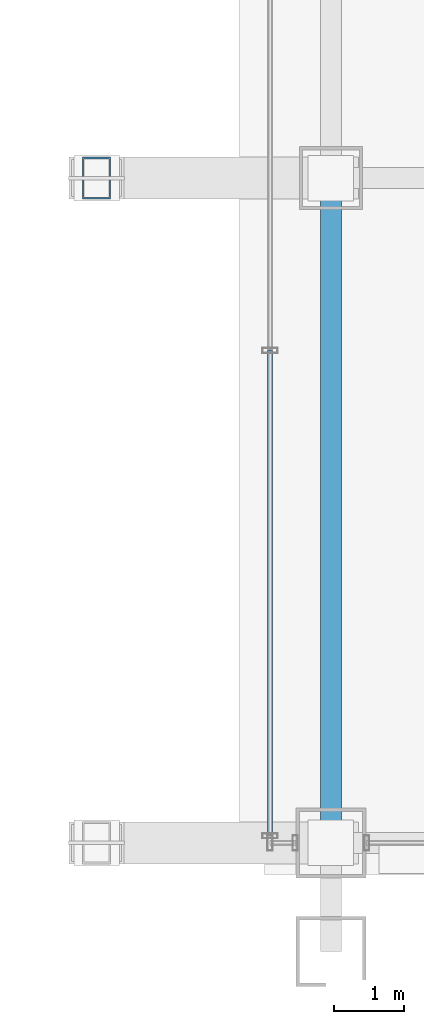
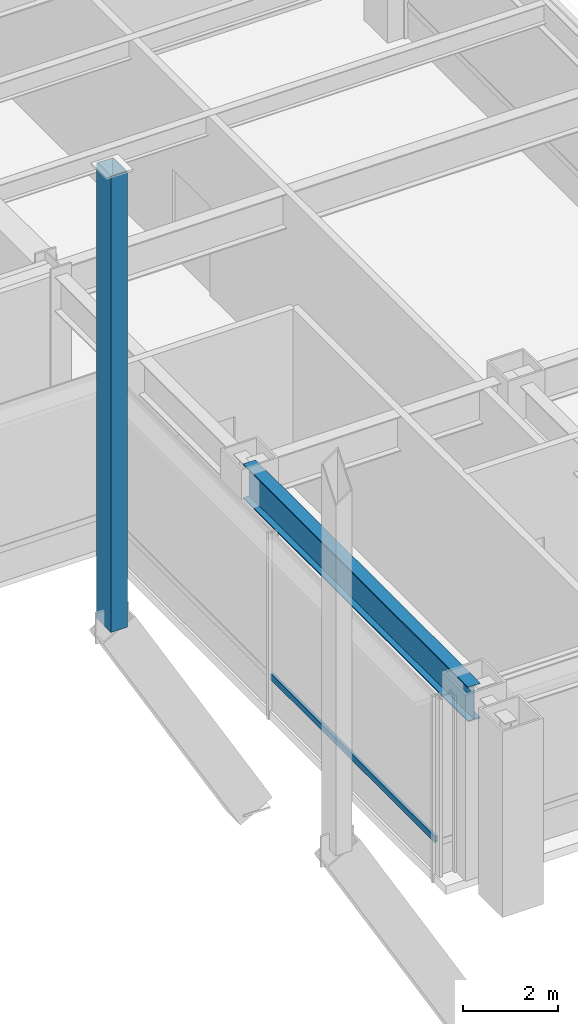
# One storey, part 9 of 40: 2 members, 1 beam, 1 element without a shape of its own.
"""IFC4 building model written with IfcOpenShell, lengths in metres."""

import ifcopenshell
import ifcopenshell.guid

model = None  # the IFC model being written
_history = None  # IfcOwnerHistory: only IFC2X3 demands one
_inside = {}  # id of a spatial element -> (the spatial element, [elements in it])
_under = {}  # id of a project, library or spatial element -> (it, [spatial elements below it])
_declared = {}  # id of a project -> (the project, [libraries it declares])
_typed = {}  # id of a type object -> (the type object, [elements of that type])
_made_of = {}  # id of a material, layer set ... -> (it, [elements and type objects made of it])


def new_model(schema):
    """Start an empty IFC model of exactly this schema.

    Asked for "IFC4X3", IfcOpenShell would pick the latest addendum, in which some entities
    have other attributes; the version numbers below select the first issue.
    IFC2X3 requires an IfcOwnerHistory on every rooted entity: one is made here for all.
    """
    global model, _history
    if schema == "IFC4X3":
        model = ifcopenshell.file(schema_version=(4, 3, 0, 0))
    else:
        model = ifcopenshell.file(schema=schema)
    _inside.clear()
    _under.clear()
    _declared.clear()
    _typed.clear()
    _made_of.clear()
    _history = None
    if model.schema == "IFC2X3":
        org = make("IfcOrganization", Name="unknown")
        user = make(
            "IfcPersonAndOrganization",
            ThePerson=make("IfcPerson", FamilyName="unknown"),
            TheOrganization=org,
        )
        app = make(
            "IfcApplication",
            ApplicationDeveloper=org,
            Version="unknown",
            ApplicationFullName="unknown",
            ApplicationIdentifier="unknown",
        )
        _history = make(
            "IfcOwnerHistory",
            OwningUser=user,
            OwningApplication=app,
            ChangeAction="ADDED",
            CreationDate=0,
        )
    return model


def make(cls, **values):
    """One entity of the class cls with the attributes given. An attribute that is None is left unset."""
    return model.create_entity(
        cls, **{name: value for name, value in values.items() if value is not None}
    )


def rooted(cls, **values):
    """An entity with a GlobalId (a new one), such as an element, a storey or a relation."""
    return make(cls, GlobalId=ifcopenshell.guid.new(), OwnerHistory=_history, **values)


def si_unit(unit_type, name, prefix=None):
    """IfcSIUnit, for example si_unit("LENGTHUNIT", "METRE", prefix="MILLI")."""
    return make("IfcSIUnit", UnitType=unit_type, Prefix=prefix, Name=name)


def assignment(units):
    """IfcUnitAssignment: the units of a project."""
    return None if units is None else make("IfcUnitAssignment", Units=units)


def point(xyz):
    """IfcCartesianPoint."""
    return None if xyz is None else make("IfcCartesianPoint", Coordinates=xyz)


def direction(xyz):
    """IfcDirection."""
    return None if xyz is None else make("IfcDirection", DirectionRatios=xyz)


def frame(location, z_axis=None, x_axis=None):
    """IfcAxis2Placement3D, a coordinate frame: its origin and axes. An axis left out is left unset."""
    return make(
        "IfcAxis2Placement3D",
        Location=point(location),
        Axis=direction(z_axis),
        RefDirection=direction(x_axis),
    )


def frame_2d(location, x_axis=None):
    """IfcAxis2Placement2D, a coordinate frame in the plane: its origin and x axis."""
    return make(
        "IfcAxis2Placement2D", Location=point(location), RefDirection=direction(x_axis)
    )


def origin():
    """The frame at (0, 0, 0) with its axes left unset."""
    return frame((0.0, 0.0, 0.0))


def origin_2d():
    """The frame at (0, 0) in the plane with its x axis left unset."""
    return frame_2d((0.0, 0.0))


def place(relative_to, where):
    """IfcLocalPlacement: puts the frame where relative to a parent placement (None: the world)."""
    return make(
        "IfcLocalPlacement", PlacementRelTo=relative_to, RelativePlacement=where
    )


def context(
    kind, dimensions, precision=None, world=None, true_north=None, identifier=None
):
    """IfcGeometricRepresentationContext, for example the 3D "Model" context."""
    return make(
        "IfcGeometricRepresentationContext",
        ContextIdentifier=identifier,
        ContextType=kind,
        CoordinateSpaceDimension=dimensions,
        Precision=precision,
        WorldCoordinateSystem=world,
        TrueNorth=true_north,
    )


def subcontext(parent, identifier, kind, view, scale=None):
    """IfcGeometricRepresentationSubContext, for example "Body" below "Model"."""
    return make(
        "IfcGeometricRepresentationSubContext",
        ContextIdentifier=identifier,
        ContextType=kind,
        ParentContext=parent,
        TargetScale=scale,
        TargetView=view,
    )


def project(units=None, contexts=None):
    """IfcProject with its units and contexts."""
    return rooted(
        "IfcProject",
        Name="project",
        RepresentationContexts=contexts,
        UnitsInContext=assignment(units),
    )


def spatial(cls, under=None, at=None, **own):
    """A site, building, storey or space (cls), placed at a placement, below another one or the project."""
    s = rooted(cls, ObjectPlacement=at, **own)
    if under is not None:
        _under.setdefault(under.id(), (under, []))[1].append(s)
    return s


def profile(cls, at=None, kind="AREA", **sizes):
    """A parametric profile (cls). Its sizes go by their IFC names, for example OverallWidth=200.0."""
    return make(cls, ProfileType=kind, Position=at, **sizes)


def hollow_rectangle(**sizes):
    """IfcRectangleHollowProfileDef."""
    return profile("IfcRectangleHollowProfileDef", **sizes)


def i_section(**sizes):
    """IfcIShapeProfileDef."""
    return profile("IfcIShapeProfileDef", **sizes)


def extrude(swept, where, along, depth):
    """IfcExtrudedAreaSolid: the profile swept, set in the frame where, extruded along a direction by depth."""
    return make(
        "IfcExtrudedAreaSolid",
        SweptArea=swept,
        Position=where,
        ExtrudedDirection=direction(along),
        Depth=depth,
    )


def shape(context_of_items, identifier, shape_type, items):
    """IfcShapeRepresentation: the items that make up one representation, for example the "Body"."""
    return make(
        "IfcShapeRepresentation",
        ContextOfItems=context_of_items,
        RepresentationIdentifier=identifier,
        RepresentationType=shape_type,
        Items=items,
    )


def material(Name=None, Category=None):
    """IfcMaterial."""
    return make("IfcMaterial", Name=Name, Category=Category)


def layer(
    of_material, thickness, ventilated=None, Name=None, Category=None, Priority=None
):
    """IfcMaterialLayer: one layer of a wall or slab, of a material (None: an air gap)."""
    return make(
        "IfcMaterialLayer",
        Material=of_material,
        LayerThickness=thickness,
        IsVentilated=ventilated,
        Name=Name,
        Category=Category,
        Priority=Priority,
    )


def layer_set(layers, Name=None):
    """IfcMaterialLayerSet."""
    return make("IfcMaterialLayerSet", MaterialLayers=layers, LayerSetName=Name)


def material_profile(
    of_material, cross_section, Name=None, Category=None, Priority=None
):
    """IfcMaterialProfile: a cross section and its material."""
    return make(
        "IfcMaterialProfile",
        Name=Name,
        Material=of_material,
        Profile=cross_section,
        Priority=Priority,
        Category=Category,
    )


def profile_set(profiles, Name=None, composite=None):
    """IfcMaterialProfileSet."""
    return make(
        "IfcMaterialProfileSet",
        Name=Name,
        MaterialProfiles=profiles,
        CompositeProfile=composite,
    )


def made_of(thing, what):
    """Note that an element or type object is made of a material, layer set ...; save() writes the relation."""
    if what is not None:
        _made_of.setdefault(what.id(), (what, []))[1].append(thing)
    return thing


def type_object(cls, material=None, **own):
    """A type object (cls), such as IfcWallType, which elements share."""
    return made_of(rooted(cls, **own), material)


def element(
    cls,
    number,
    at=None,
    inside=None,
    cuts=None,
    type_object=None,
    material=None,
    context=None,
    identifier="Body",
    shape_type=None,
    held_by="IfcProductDefinitionShape",
    body=None,
    shapes=None,
    **own,
):
    """One element of the class cls, such as IfcWall. Its Tag is "e" and its number.

    at: its placement. inside: the storey or other place that contains it. cuts: it is an
    opening in that element (IfcRelVoidsElement). A single representation is given by context,
    identifier, shape_type and body (its items); several are given by shapes. held_by: the class
    of the entity that holds the representations. save() writes the other relations.
    """
    e = rooted(cls, Tag="e%d" % number, ObjectPlacement=at, **own)
    if body is not None:
        shapes = [shape(context, identifier, shape_type, body)]
    if shapes is not None:
        e.Representation = make(held_by, Representations=shapes)
    if inside is not None:
        _inside.setdefault(inside.id(), (inside, []))[1].append(e)
    if cuts is not None:
        rooted(
            "IfcRelVoidsElement", RelatingBuildingElement=cuts, RelatedOpeningElement=e
        )
    if type_object is not None:
        _typed.setdefault(type_object.id(), (type_object, []))[1].append(e)
    return made_of(e, material)


def aggregate(whole, parts):
    """IfcRelAggregates: a whole, such as a stair, and the parts it consists of."""
    return rooted("IfcRelAggregates", RelatingObject=whole, RelatedObjects=parts)


def save(model, path):
    """Write the relations noted so far, then the file.

    IfcRelAggregates (storeys below a building ...), IfcRelContainedInSpatialStructure (elements
    in a storey), IfcRelDefinesByType, IfcRelAssociatesMaterial and IfcRelDeclares: one each for
    every whole, place, type object, material and project.
    """
    for whole, parts in _under.values():
        aggregate(whole, parts)
    for where, things in _inside.values():
        rooted(
            "IfcRelContainedInSpatialStructure",
            RelatedElements=things,
            RelatingStructure=where,
        )
    for kind, things in _typed.values():
        rooted("IfcRelDefinesByType", RelatedObjects=things, RelatingType=kind)
    for what, things in _made_of.values():
        rooted("IfcRelAssociatesMaterial", RelatedObjects=things, RelatingMaterial=what)
    for by, libraries in _declared.values():
        rooted("IfcRelDeclares", RelatingContext=by, RelatedDefinitions=libraries)
    model.write(path)


model = new_model("IFC4")

# Units and contexts
model_context = context("Model", 3, precision=1e-05, world=origin(), true_north=direction((0.0, 1.0)))
body_context = subcontext(model_context, "Body", "Model", "MODEL_VIEW")
ifc_project = project(units=[si_unit("LENGTHUNIT", "METRE"), si_unit("AREAUNIT", "SQUARE_METRE"), si_unit("VOLUMEUNIT", "CUBIC_METRE"), si_unit("PLANEANGLEUNIT", "RADIAN"), si_unit("MASSUNIT", "GRAM", prefix="KILO")], contexts=[model_context])

# Site, building, storey
site_placement = place(None, origin())
site = spatial("IfcSite", under=ifc_project, at=site_placement, CompositionType="ELEMENT")
building_placement = place(site_placement, origin())
building = spatial("IfcBuilding", under=site, at=building_placement, Name="Brelmoor Portico Tower", CompositionType="ELEMENT")
storey_placement = place(building_placement, frame((0.0, 0.0, 4.800048828125)))
storey = spatial("IfcBuildingStorey", under=building, at=storey_placement, Name="L01", CompositionType="ELEMENT", Elevation=4.800048828125)

# Beam
ifc_material_1 = material(Name="Steel Q355B", Category="steel")
ifc_material_profile_1 = material_profile(ifc_material_1, i_section(OverallWidth=0.300048828125, OverallDepth=0.89990234375, WebThickness=0.01611328125, FlangeThickness=0.028076171875, at=origin_2d()), Name="HN 900x300x16x28")
ifc_profile_set_1 = profile_set([ifc_material_profile_1], Name="Steel Q355B")
beam_type = type_object("IfcBeamType", Name="BM-PG-900", PredefinedType="BEAM", material=ifc_profile_set_1)
beam_placement = place(storey_placement, frame((14.550048828125, -27.550048828125, 4.1298828125), z_axis=(0.0, 1.0, 0.0), x_axis=(-1.0, 0.0, 0.0)))
element("IfcBeam", 1, at=beam_placement, inside=storey, type_object=beam_type, Name="L01 Primary Floor Girder PG-12", PredefinedType="BEAM", context=body_context, shape_type="SweptSolid", body=[
    extrude(i_section(OverallWidth=0.300048828125, OverallDepth=0.89990234375, WebThickness=0.01611328125, FlangeThickness=0.028076171875, at=origin_2d()), origin(), (0.0, 0.0, 1.0), 9.5),
])

# Member
ifc_material_profile_2 = material_profile(ifc_material_1, hollow_rectangle(XDim=0.39990234375, YDim=0.60009765625, WallThickness=0.02392578125, at=origin_2d()), Name="RHS 400x600x24")
ifc_profile_set_2 = profile_set([ifc_material_profile_2], Name="Steel Q355B")
member_type_1 = type_object("IfcMemberType", Name="MB-ARCH-STRUT", PredefinedType="BRACE", material=ifc_profile_set_2)
member_1_placement = place(storey_placement, frame((11.199951171875, -18.050048828125, 1.599853515625), z_axis=(0.0, 0.0, 1.0), x_axis=(1.0, 0.0, 0.0)))
element("IfcMember", 2, at=member_1_placement, inside=storey, type_object=member_type_1, Name="Portico Arch Spandrel Strut S2-6", PredefinedType="BRACE", context=body_context, shape_type="SweptSolid", body=[
    extrude(hollow_rectangle(XDim=0.39990234375, YDim=0.60009765625, WallThickness=0.02392578125, at=origin_2d()), origin(), (0.0, 0.0, 1.0), 11.755126953125),
])

# Curtain wall, member
ifc_material_2 = material(Name="Anodised Aluminium Alloy 6063-T6", Category="aluminium")
ifc_layer = layer(ifc_material_2, 0.179931640625)
ifc_layer_set = layer_set([ifc_layer], Name="Anodised Aluminium Alloy 6063-T6")
curtain_wall_type = type_object("IfcCurtainWallType", Name="CW-PODIUM-ARCH", PredefinedType="NOTDEFINED", material=ifc_layer_set)
curtain_wall_placement = place(storey_placement, origin())
curtain_wall = element("IfcCurtainWall", 3, at=curtain_wall_placement, inside=storey, type_object=curtain_wall_type, Name="L01 Curtain Wall CW-L01-08", PredefinedType="NOTDEFINED")
ifc_material_profile_3 = material_profile(ifc_material_2, hollow_rectangle(XDim=0.070068359375, YDim=0.159912109375, WallThickness=0.00390625, at=origin_2d()), Name="ALU TRANSOM 70x160")
ifc_profile_set_3 = profile_set([ifc_material_profile_3], Name="Anodised Aluminium Alloy 6063-T6")
member_type_2 = type_object("IfcMemberType", Name="MB-CW-TRAN-160", PredefinedType="USERDEFINED", material=ifc_profile_set_3)
member_2_placement = place(storey_placement, frame((13.679931640625, -27.449951171875, 0.849853515625), z_axis=(0.0, 1.0, 0.0), x_axis=(-1.0, 0.0, 0.0)))
member_2 = element("IfcMember", 4, at=member_2_placement, type_object=member_type_2, Name="CW-L01-08 Transom 1-00", ObjectType="TRANSOM", PredefinedType="USERDEFINED", context=body_context, shape_type="SweptSolid", body=[
    extrude(hollow_rectangle(XDim=0.070068359375, YDim=0.159912109375, WallThickness=0.00390625, at=origin_2d()), origin(), (0.0, 0.0, 1.0), 6.93505859375),
])
aggregate(curtain_wall, [member_2])

save(model, "model.ifc")
